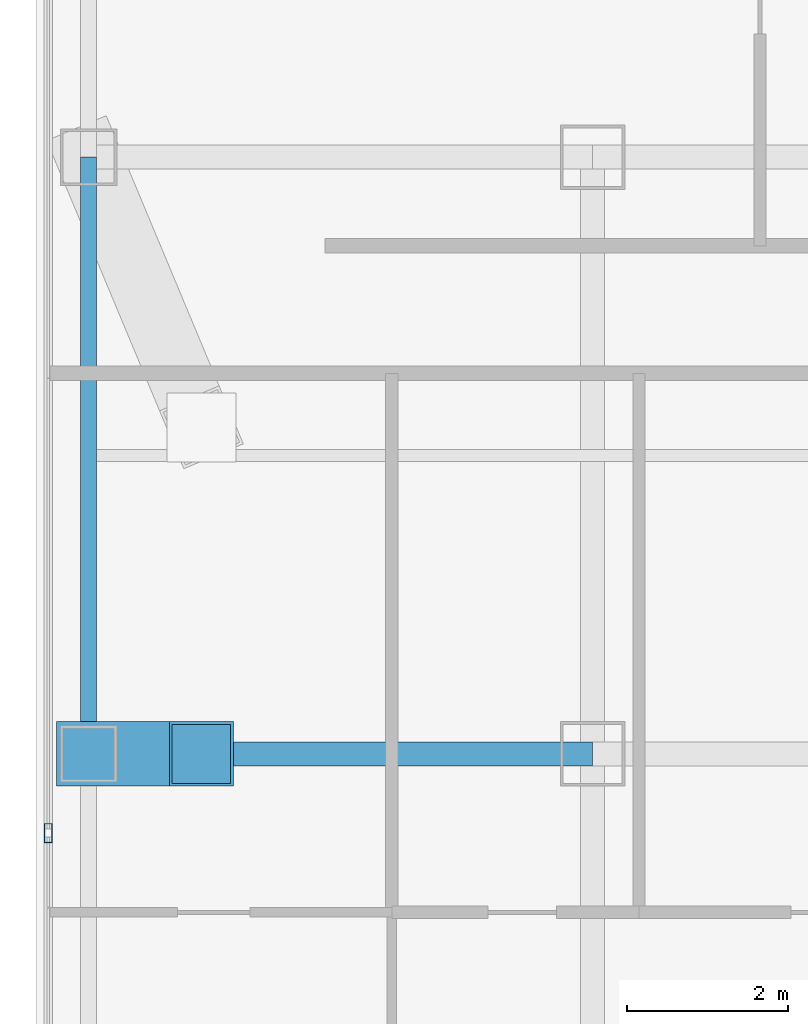
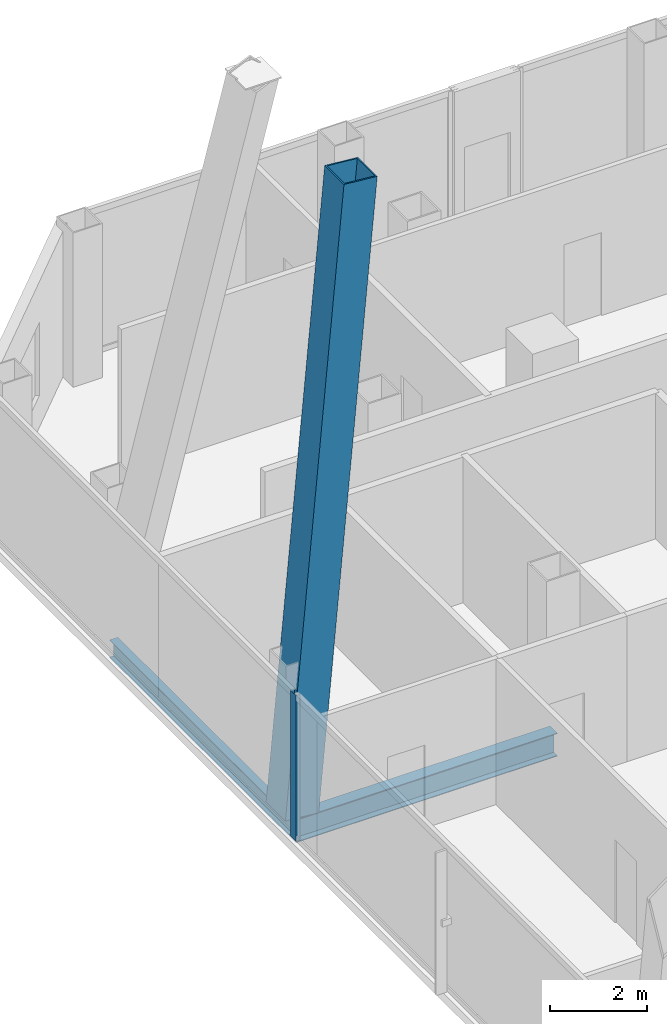
# One storey, part 14 of 34: 2 beams, 2 members, 1 element without a shape of its own.
"""IFC4 building model written with IfcOpenShell, lengths in metres."""

from ifc_helpers import new_model, si_unit, direction, frame, origin, origin_2d, place, context, subcontext, project, spatial, hollow_rectangle, i_section, extrude, material, layer, layer_set, material_profile, profile_set, type_object, element, aggregate, save


model = new_model("IFC4")

# Units and contexts
model_context = context("Model", 3, precision=1e-05, world=origin(), true_north=direction((0.0, 1.0)))
body_context = subcontext(model_context, "Body", "Model", "MODEL_VIEW")
ifc_project = project(units=[si_unit("LENGTHUNIT", "METRE"), si_unit("AREAUNIT", "SQUARE_METRE"), si_unit("VOLUMEUNIT", "CUBIC_METRE"), si_unit("PLANEANGLEUNIT", "RADIAN"), si_unit("MASSUNIT", "GRAM", prefix="KILO")], contexts=[model_context])

# Site, building, storey
site_placement = place(None, origin())
site = spatial("IfcSite", under=ifc_project, at=site_placement, CompositionType="ELEMENT")
building_placement = place(site_placement, origin())
building = spatial("IfcBuilding", under=site, at=building_placement, Name="Khorvyn Point Tower", CompositionType="ELEMENT")
storey_placement = place(building_placement, frame((0.0, 0.0, 175.800048828125)))
storey = spatial("IfcBuildingStorey", under=building, at=storey_placement, Name="L43", CompositionType="ELEMENT", Elevation=175.800048828125)

# Curtain wall, member
ifc_material_1 = material(Name="Anodised aluminium 6063-T6 and laminated Low-E glass", Category="aluminium")
ifc_layer = layer(ifc_material_1, 0.18994140625)
ifc_layer_set = layer_set([ifc_layer], Name="Stick-Built Acoustic Curtain Wall CW-SYS-03")
curtain_wall_type = type_object("IfcCurtainWallType", Name="Stick-Built Acoustic Curtain Wall CW-SYS-03", PredefinedType="NOTDEFINED", material=ifc_layer_set)
curtain_wall_placement = place(storey_placement, origin())
curtain_wall = element("IfcCurtainWall", 1, at=curtain_wall_placement, inside=storey, type_object=curtain_wall_type, Name="Curtain Wall", PredefinedType="NOTDEFINED")
ifc_material_2 = material(Name="Anodised aluminium 6063-T6", Category="aluminium")
ifc_material_profile_1 = material_profile(ifc_material_2, hollow_rectangle(XDim=0.10009765625, YDim=0.239990234375, WallThickness=0.0048828125, at=origin_2d()))
ifc_profile_set_1 = profile_set([ifc_material_profile_1], Name="Anodised aluminium 6063-T6 ALU-MUL-100x240")
member_type_1 = type_object("IfcMemberType", Name="Anodised Aluminium 6063-T6 Mullion ALU-MUL-100x240", PredefinedType="MULLION", material=ifc_profile_set_1)
member_1_placement = place(storey_placement, frame((-25.550048828125, 6.416748046875, 0.0), z_axis=(0.0, 0.0, 1.0), x_axis=(-1.0, 0.0, 0.0)))
member_1 = element("IfcMember", 2, at=member_1_placement, type_object=member_type_1, Name="Transom", PredefinedType="MULLION", context=body_context, shape_type="SweptSolid", body=[
    extrude(hollow_rectangle(XDim=0.10009765625, YDim=0.239990234375, WallThickness=0.0048828125, at=origin_2d()), origin(), (0.0, 0.0, 1.0), 3.679931640625),
])
aggregate(curtain_wall, [member_1])

# Beams
ifc_material_3 = material(Name="Steel S355", Category="steel")
ifc_material_profile_2 = material_profile(ifc_material_3, i_section(OverallWidth=0.300048828125, OverallDepth=0.587890625, WebThickness=0.011962890625, FlangeThickness=0.02001953125, at=origin_2d()))
ifc_profile_set_2 = profile_set([ifc_material_profile_2], Name="Steel S355 H588x300x12x20")
beam_type_1 = type_object("IfcBeamType", Name="Steel S355 Beam H588x300x12x20", PredefinedType="BEAM", material=ifc_profile_set_2)
beam_1_placement = place(storey_placement, frame((-25.050048828125, 7.39990234375, -0.51416015625), z_axis=(1.0, 0.0, 0.0), x_axis=(0.0, 1.0, 0.0)))
element("IfcBeam", 3, at=beam_1_placement, inside=storey, type_object=beam_type_1, Name="Beam", PredefinedType="BEAM", context=body_context, shape_type="SweptSolid", body=[
    extrude(i_section(OverallWidth=0.300048828125, OverallDepth=0.587890625, WebThickness=0.011962890625, FlangeThickness=0.02001953125, at=origin_2d()), origin(), (0.0, 0.0, 1.0), 6.25),
])
ifc_material_profile_3 = material_profile(ifc_material_3, i_section(OverallWidth=0.199951171875, OverallDepth=0.449951171875, WebThickness=0.009033203125, FlangeThickness=0.013916015625, at=origin_2d()))
ifc_profile_set_3 = profile_set([ifc_material_profile_3], Name="Steel S355 H450x200x9x14")
beam_type_2 = type_object("IfcBeamType", Name="Steel S355 Spandrel H450x200x9x14", PredefinedType="SPANDREL", material=ifc_profile_set_3)
beam_2_placement = place(storey_placement, frame((-25.050048828125, 7.39990234375, -0.445068359375), z_axis=(0.0, 1.0, 0.0), x_axis=(-1.0, 0.0, 0.0)))
element("IfcBeam", 4, at=beam_2_placement, inside=storey, type_object=beam_type_2, Name="Beam", PredefinedType="SPANDREL", context=body_context, shape_type="SweptSolid", body=[
    extrude(i_section(OverallWidth=0.199951171875, OverallDepth=0.449951171875, WebThickness=0.009033203125, FlangeThickness=0.013916015625, at=origin_2d()), origin(), (0.0, 0.0, 1.0), 7.400146484375),
])

# Member
ifc_material_4 = material(Name="Steel S450", Category="steel")
ifc_material_profile_4 = material_profile(ifc_material_4, hollow_rectangle(XDim=0.800048828125, YDim=0.800048828125, WallThickness=0.035888671875, at=origin_2d()))
ifc_profile_set_4 = profile_set([ifc_material_profile_4], Name="Steel S450 BOX800x800x36")
member_type_2 = type_object("IfcMemberType", Name="Steel S450 Exoskeleton Structural Post BOX800x800x36", PredefinedType="POST", material=ifc_profile_set_4)
member_2_placement = place(storey_placement, frame((-25.050048828125, 7.39990234375, 0.0), z_axis=(0.089394475098, 0.0, 0.995996299101), x_axis=(0.0, 1.0, 0.0)))
element("IfcMember", 5, at=member_2_placement, inside=storey, type_object=member_type_2, Name="L43 to L47 Exoskeleton Transfer Post 12", PredefinedType="POST", context=body_context, shape_type="SweptSolid", body=[
    extrude(hollow_rectangle(XDim=0.800048828125, YDim=0.800048828125, WallThickness=0.035888671875, at=origin_2d()), origin(), (0.0, 0.0, 1.0), 15.66259765625),
])

save(model, "model.ifc")
